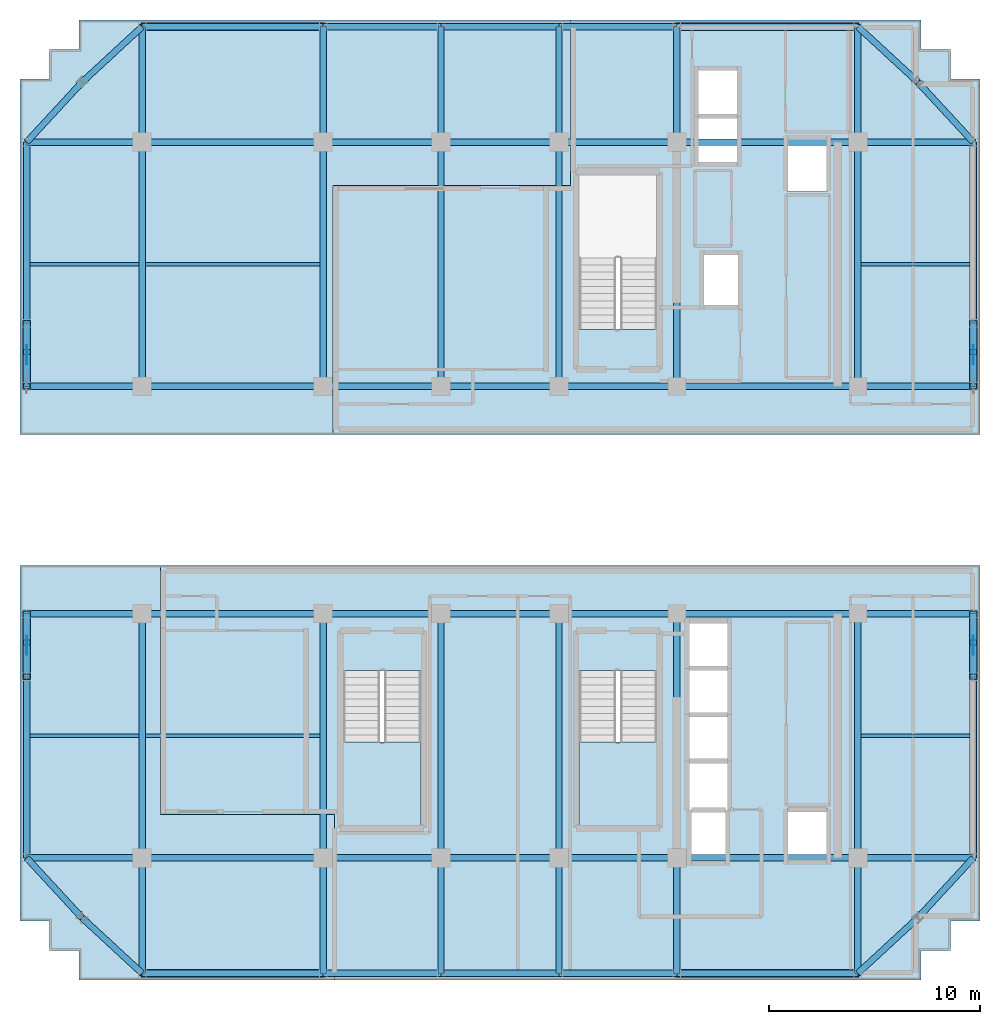
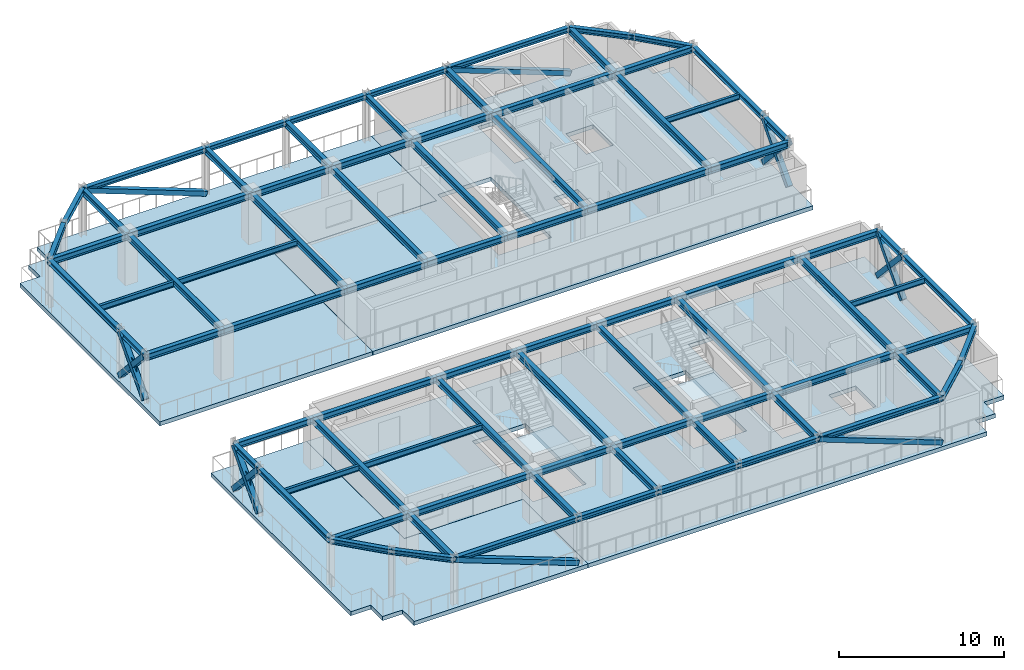
# One storey, part 4 of 14: 84 beams, 16 members, 6 slabs, 4 plates, 2 elements without a shape of their own.
"""IFC4 building model written with IfcOpenShell, lengths in metres."""

import ifcopenshell
import ifcopenshell.guid

model = None  # the IFC model being written
_history = None  # IfcOwnerHistory: only IFC2X3 demands one
_inside = {}  # id of a spatial element -> (the spatial element, [elements in it])
_under = {}  # id of a project, library or spatial element -> (it, [spatial elements below it])
_declared = {}  # id of a project -> (the project, [libraries it declares])
_typed = {}  # id of a type object -> (the type object, [elements of that type])
_made_of = {}  # id of a material, layer set ... -> (it, [elements and type objects made of it])


def new_model(schema):
    """Start an empty IFC model of exactly this schema.

    Asked for "IFC4X3", IfcOpenShell would pick the latest addendum, in which some entities
    have other attributes; the version numbers below select the first issue.
    IFC2X3 requires an IfcOwnerHistory on every rooted entity: one is made here for all.
    """
    global model, _history
    if schema == "IFC4X3":
        model = ifcopenshell.file(schema_version=(4, 3, 0, 0))
    else:
        model = ifcopenshell.file(schema=schema)
    _inside.clear()
    _under.clear()
    _declared.clear()
    _typed.clear()
    _made_of.clear()
    _history = None
    if model.schema == "IFC2X3":
        org = make("IfcOrganization", Name="unknown")
        user = make(
            "IfcPersonAndOrganization",
            ThePerson=make("IfcPerson", FamilyName="unknown"),
            TheOrganization=org,
        )
        app = make(
            "IfcApplication",
            ApplicationDeveloper=org,
            Version="unknown",
            ApplicationFullName="unknown",
            ApplicationIdentifier="unknown",
        )
        _history = make(
            "IfcOwnerHistory",
            OwningUser=user,
            OwningApplication=app,
            ChangeAction="ADDED",
            CreationDate=0,
        )
    return model


def make(cls, **values):
    """One entity of the class cls with the attributes given. An attribute that is None is left unset."""
    return model.create_entity(
        cls, **{name: value for name, value in values.items() if value is not None}
    )


def rooted(cls, **values):
    """An entity with a GlobalId (a new one), such as an element, a storey or a relation."""
    return make(cls, GlobalId=ifcopenshell.guid.new(), OwnerHistory=_history, **values)


def si_unit(unit_type, name, prefix=None):
    """IfcSIUnit, for example si_unit("LENGTHUNIT", "METRE", prefix="MILLI")."""
    return make("IfcSIUnit", UnitType=unit_type, Prefix=prefix, Name=name)


def assignment(units):
    """IfcUnitAssignment: the units of a project."""
    return None if units is None else make("IfcUnitAssignment", Units=units)


def point(xyz):
    """IfcCartesianPoint."""
    return None if xyz is None else make("IfcCartesianPoint", Coordinates=xyz)


def direction(xyz):
    """IfcDirection."""
    return None if xyz is None else make("IfcDirection", DirectionRatios=xyz)


def frame(location, z_axis=None, x_axis=None):
    """IfcAxis2Placement3D, a coordinate frame: its origin and axes. An axis left out is left unset."""
    return make(
        "IfcAxis2Placement3D",
        Location=point(location),
        Axis=direction(z_axis),
        RefDirection=direction(x_axis),
    )


def frame_2d(location, x_axis=None):
    """IfcAxis2Placement2D, a coordinate frame in the plane: its origin and x axis."""
    return make(
        "IfcAxis2Placement2D", Location=point(location), RefDirection=direction(x_axis)
    )


def origin():
    """The frame at (0, 0, 0) with its axes left unset."""
    return frame((0.0, 0.0, 0.0))


def origin_2d():
    """The frame at (0, 0) in the plane with its x axis left unset."""
    return frame_2d((0.0, 0.0))


def place(relative_to, where):
    """IfcLocalPlacement: puts the frame where relative to a parent placement (None: the world)."""
    return make(
        "IfcLocalPlacement", PlacementRelTo=relative_to, RelativePlacement=where
    )


def context(
    kind, dimensions, precision=None, world=None, true_north=None, identifier=None
):
    """IfcGeometricRepresentationContext, for example the 3D "Model" context."""
    return make(
        "IfcGeometricRepresentationContext",
        ContextIdentifier=identifier,
        ContextType=kind,
        CoordinateSpaceDimension=dimensions,
        Precision=precision,
        WorldCoordinateSystem=world,
        TrueNorth=true_north,
    )


def subcontext(parent, identifier, kind, view, scale=None):
    """IfcGeometricRepresentationSubContext, for example "Body" below "Model"."""
    return make(
        "IfcGeometricRepresentationSubContext",
        ContextIdentifier=identifier,
        ContextType=kind,
        ParentContext=parent,
        TargetScale=scale,
        TargetView=view,
    )


def project(units=None, contexts=None):
    """IfcProject with its units and contexts."""
    return rooted(
        "IfcProject",
        Name="project",
        RepresentationContexts=contexts,
        UnitsInContext=assignment(units),
    )


def spatial(cls, under=None, at=None, **own):
    """A site, building, storey or space (cls), placed at a placement, below another one or the project."""
    s = rooted(cls, ObjectPlacement=at, **own)
    if under is not None:
        _under.setdefault(under.id(), (under, []))[1].append(s)
    return s


def polyline(points):
    """IfcPolyline through the points."""
    return make("IfcPolyline", Points=[point(p) for p in points])


def profile(cls, at=None, kind="AREA", **sizes):
    """A parametric profile (cls). Its sizes go by their IFC names, for example OverallWidth=200.0."""
    return make(cls, ProfileType=kind, Position=at, **sizes)


def rectangle(**sizes):
    """IfcRectangleProfileDef."""
    return profile("IfcRectangleProfileDef", **sizes)


def hollow_rectangle(**sizes):
    """IfcRectangleHollowProfileDef."""
    return profile("IfcRectangleHollowProfileDef", **sizes)


def i_section(**sizes):
    """IfcIShapeProfileDef."""
    return profile("IfcIShapeProfileDef", **sizes)


def outline(outer, holes=None, kind="AREA"):
    """IfcArbitraryClosedProfileDef: a profile drawn as a closed curve; with holes, ...WithVoids."""
    if holes is None:
        return make("IfcArbitraryClosedProfileDef", ProfileType=kind, OuterCurve=outer)
    return make(
        "IfcArbitraryProfileDefWithVoids",
        ProfileType=kind,
        OuterCurve=outer,
        InnerCurves=holes,
    )


def extrude(swept, where, along, depth):
    """IfcExtrudedAreaSolid: the profile swept, set in the frame where, extruded along a direction by depth."""
    return make(
        "IfcExtrudedAreaSolid",
        SweptArea=swept,
        Position=where,
        ExtrudedDirection=direction(along),
        Depth=depth,
    )


def shape(context_of_items, identifier, shape_type, items):
    """IfcShapeRepresentation: the items that make up one representation, for example the "Body"."""
    return make(
        "IfcShapeRepresentation",
        ContextOfItems=context_of_items,
        RepresentationIdentifier=identifier,
        RepresentationType=shape_type,
        Items=items,
    )


def source(mapping_origin, context_of_items, identifier, shape_type, items):
    """IfcRepresentationMap: a shape defined once, which mapped items show again and again."""
    return make(
        "IfcRepresentationMap",
        MappingOrigin=mapping_origin,
        MappedRepresentation=shape(context_of_items, identifier, shape_type, items),
    )


def transform(
    local_origin,
    x_axis=None,
    y_axis=None,
    z_axis=None,
    scale=None,
    scale2=None,
    scale3=None,
    uniform=True,
):
    """IfcCartesianTransformationOperator3D, or its non-uniform kind. x_axis, y_axis, z_axis: its Axis1, 2, 3."""
    if uniform:
        return make(
            "IfcCartesianTransformationOperator3D",
            Axis1=direction(x_axis),
            Axis2=direction(y_axis),
            LocalOrigin=point(local_origin),
            Scale=scale,
            Axis3=direction(z_axis),
        )
    return make(
        "IfcCartesianTransformationOperator3DnonUniform",
        Axis1=direction(x_axis),
        Axis2=direction(y_axis),
        LocalOrigin=point(local_origin),
        Scale=scale,
        Axis3=direction(z_axis),
        Scale2=scale2,
        Scale3=scale3,
    )


def mapped(mapping_source, mapping_target):
    """IfcMappedItem: shows the shape of a source again, moved by a transform."""
    return make(
        "IfcMappedItem", MappingSource=mapping_source, MappingTarget=mapping_target
    )


def material(Name=None, Category=None):
    """IfcMaterial."""
    return make("IfcMaterial", Name=Name, Category=Category)


def layer(
    of_material, thickness, ventilated=None, Name=None, Category=None, Priority=None
):
    """IfcMaterialLayer: one layer of a wall or slab, of a material (None: an air gap)."""
    return make(
        "IfcMaterialLayer",
        Material=of_material,
        LayerThickness=thickness,
        IsVentilated=ventilated,
        Name=Name,
        Category=Category,
        Priority=Priority,
    )


def layer_set(layers, Name=None):
    """IfcMaterialLayerSet."""
    return make("IfcMaterialLayerSet", MaterialLayers=layers, LayerSetName=Name)


def material_profile(
    of_material, cross_section, Name=None, Category=None, Priority=None
):
    """IfcMaterialProfile: a cross section and its material."""
    return make(
        "IfcMaterialProfile",
        Name=Name,
        Material=of_material,
        Profile=cross_section,
        Priority=Priority,
        Category=Category,
    )


def profile_set(profiles, Name=None, composite=None):
    """IfcMaterialProfileSet."""
    return make(
        "IfcMaterialProfileSet",
        Name=Name,
        MaterialProfiles=profiles,
        CompositeProfile=composite,
    )


def made_of(thing, what):
    """Note that an element or type object is made of a material, layer set ...; save() writes the relation."""
    if what is not None:
        _made_of.setdefault(what.id(), (what, []))[1].append(thing)
    return thing


def type_object(cls, material=None, **own):
    """A type object (cls), such as IfcWallType, which elements share."""
    return made_of(rooted(cls, **own), material)


def element(
    cls,
    number,
    at=None,
    inside=None,
    cuts=None,
    type_object=None,
    material=None,
    context=None,
    identifier="Body",
    shape_type=None,
    held_by="IfcProductDefinitionShape",
    body=None,
    shapes=None,
    **own,
):
    """One element of the class cls, such as IfcWall. Its Tag is "e" and its number.

    at: its placement. inside: the storey or other place that contains it. cuts: it is an
    opening in that element (IfcRelVoidsElement). A single representation is given by context,
    identifier, shape_type and body (its items); several are given by shapes. held_by: the class
    of the entity that holds the representations. save() writes the other relations.
    """
    e = rooted(cls, Tag="e%d" % number, ObjectPlacement=at, **own)
    if body is not None:
        shapes = [shape(context, identifier, shape_type, body)]
    if shapes is not None:
        e.Representation = make(held_by, Representations=shapes)
    if inside is not None:
        _inside.setdefault(inside.id(), (inside, []))[1].append(e)
    if cuts is not None:
        rooted(
            "IfcRelVoidsElement", RelatingBuildingElement=cuts, RelatedOpeningElement=e
        )
    if type_object is not None:
        _typed.setdefault(type_object.id(), (type_object, []))[1].append(e)
    return made_of(e, material)


def aggregate(whole, parts):
    """IfcRelAggregates: a whole, such as a stair, and the parts it consists of."""
    return rooted("IfcRelAggregates", RelatingObject=whole, RelatedObjects=parts)


def save(model, path):
    """Write the relations noted so far, then the file.

    IfcRelAggregates (storeys below a building ...), IfcRelContainedInSpatialStructure (elements
    in a storey), IfcRelDefinesByType, IfcRelAssociatesMaterial and IfcRelDeclares: one each for
    every whole, place, type object, material and project.
    """
    for whole, parts in _under.values():
        aggregate(whole, parts)
    for where, things in _inside.values():
        rooted(
            "IfcRelContainedInSpatialStructure",
            RelatedElements=things,
            RelatingStructure=where,
        )
    for kind, things in _typed.values():
        rooted("IfcRelDefinesByType", RelatedObjects=things, RelatingType=kind)
    for what, things in _made_of.values():
        rooted("IfcRelAssociatesMaterial", RelatedObjects=things, RelatingMaterial=what)
    for by, libraries in _declared.values():
        rooted("IfcRelDeclares", RelatingContext=by, RelatedDefinitions=libraries)
    model.write(path)


model = new_model("IFC4")

# Units and contexts
model_context = context("Model", 3, precision=1e-05, world=origin(), true_north=direction((0.0, 1.0)))
body_context = subcontext(model_context, "Body", "Model", "MODEL_VIEW")
ifc_project = project(units=[si_unit("LENGTHUNIT", "METRE"), si_unit("AREAUNIT", "SQUARE_METRE"), si_unit("VOLUMEUNIT", "CUBIC_METRE"), si_unit("PLANEANGLEUNIT", "RADIAN"), si_unit("MASSUNIT", "GRAM", prefix="KILO")], contexts=[model_context])

# Site, building, storey
site_placement = place(None, origin())
site = spatial("IfcSite", under=ifc_project, at=site_placement, CompositionType="ELEMENT")
building_placement = place(site_placement, origin())
building = spatial("IfcBuilding", under=site, at=building_placement, Name="Nahalor Promenade Grand Hotel", CompositionType="ELEMENT")
storey_placement = place(building_placement, frame((0.0, 0.0, 296.5)))
storey = spatial("IfcBuildingStorey", under=building, at=storey_placement, Name="L76", CompositionType="ELEMENT", Elevation=296.5)

# Beams
ifc_material_1 = material(Name="Steel S355JR", Category="steel")
ifc_material_profile_1 = material_profile(ifc_material_1, i_section(OverallWidth=0.3, OverallDepth=0.45, WebThickness=0.014, FlangeThickness=0.026, at=origin_2d()), Name="HEB 450")
ifc_profile_set_1 = profile_set([ifc_material_profile_1], Name="Steel S355JR")
beam_type_1 = type_object("IfcBeamType", Name="Beam-Girder-HEB450", PredefinedType="BEAM", material=ifc_profile_set_1)
shared_shape_1 = source(origin(), body_context, "Body", "SweptSolid", [
    extrude(i_section(OverallWidth=0.3, OverallDepth=0.45, WebThickness=0.014, FlangeThickness=0.026, at=origin_2d()), origin(), (0.0, 0.0, 1.0), 8.60009765625),
])
for number, where, z_axis, x_axis, name in (
    (1, (-17.0, -17.0, 3.324951171875), (1.0, 0.0, 0.0), (0.0, 1.0, 0.0), "BM-L76-GX-0-1"),
    (2, (8.39990234375, -17.0, 3.324951171875), (1.0, 0.0, 0.0), (0.0, 1.0, 0.0), "BM-L76-GX-0-5"),
    (3, (-17.0, -5.39990234375, 3.324951171875), (1.0, 0.0, 0.0), (0.0, 1.0, 0.0), "BM-L76-GX-1-1"),
    (4, (8.39990234375, -5.39990234375, 3.324951171875), (1.0, 0.0, 0.0), (0.0, 1.0, 0.0), "BM-L76-GX-1-5"),
    (5, (-17.0, 5.39990234375, 3.324951171875), (1.0, 0.0, 0.0), (0.0, 1.0, 0.0), "BM-L76-GX-2-1"),
    (6, (8.39990234375, 5.39990234375, 3.324951171875), (1.0, 0.0, 0.0), (0.0, 1.0, 0.0), "BM-L76-GX-2-5"),
    (7, (-17.0, 17.0, 3.324951171875), (1.0, 0.0, 0.0), (0.0, 1.0, 0.0), "BM-L76-GX-3-1"),
    (8, (8.39990234375, 17.0, 3.324951171875), (1.0, 0.0, 0.0), (0.0, 1.0, 0.0), "BM-L76-GX-3-5"),
):
    element("IfcBeam", number, at=place(storey_placement, frame(where, z_axis=z_axis, x_axis=x_axis)), inside=storey, type_object=beam_type_1, Name=name, PredefinedType="BEAM", context=body_context, shape_type="MappedRepresentation", body=[
        mapped(shared_shape_1, transform((0.0, 0.0, 0.0), scale=1.0)),
    ])
shared_shape_2 = source(origin(), body_context, "Body", "SweptSolid", [
    extrude(i_section(OverallWidth=0.3, OverallDepth=0.45, WebThickness=0.014, FlangeThickness=0.026, at=origin_2d()), origin(), (0.0, 0.0, 1.0), 5.599853515625),
])
for number, where, z_axis, x_axis, name in (
    (9, (-8.39990234375, -17.0, 3.324951171875), (1.0, 0.0, 0.0), (0.0, 1.0, 0.0), "BM-L76-GX-0-2"),
    (10, (2.800048828125, -17.0, 3.324951171875), (1.0, 0.0, 0.0), (0.0, 1.0, 0.0), "BM-L76-GX-0-4"),
    (11, (-8.39990234375, -5.39990234375, 3.324951171875), (1.0, 0.0, 0.0), (0.0, 1.0, 0.0), "BM-L76-GX-1-2"),
    (12, (2.800048828125, -5.39990234375, 3.324951171875), (1.0, 0.0, 0.0), (0.0, 1.0, 0.0), "BM-L76-GX-1-4"),
    (13, (-8.39990234375, 5.39990234375, 3.324951171875), (1.0, 0.0, 0.0), (0.0, 1.0, 0.0), "BM-L76-GX-2-2"),
    (14, (2.800048828125, 5.39990234375, 3.324951171875), (1.0, 0.0, 0.0), (0.0, 1.0, 0.0), "BM-L76-GX-2-4"),
    (15, (-8.39990234375, 17.0, 3.324951171875), (1.0, 0.0, 0.0), (0.0, 1.0, 0.0), "BM-L76-GX-3-2"),
    (16, (2.800048828125, 17.0, 3.324951171875), (1.0, 0.0, 0.0), (0.0, 1.0, 0.0), "BM-L76-GX-3-4"),
):
    element("IfcBeam", number, at=place(storey_placement, frame(where, z_axis=z_axis, x_axis=x_axis)), inside=storey, type_object=beam_type_1, Name=name, PredefinedType="BEAM", context=body_context, shape_type="MappedRepresentation", body=[
        mapped(shared_shape_2, transform((0.0, 0.0, 0.0), scale=1.0)),
    ])
shared_shape_3 = source(origin(), body_context, "Body", "SweptSolid", [
    extrude(i_section(OverallWidth=0.3, OverallDepth=0.45, WebThickness=0.014, FlangeThickness=0.026, at=origin_2d()), origin(), (0.0, 0.0, 1.0), 5.60009765625),
])
for number, where, z_axis, x_axis, name in (
    (17, (-2.800048828125, -17.0, 3.324951171875), (1.0, 0.0, 0.0), (0.0, 1.0, 0.0), "BM-L76-GX-0-3"),
    (18, (-2.800048828125, -5.39990234375, 3.324951171875), (1.0, 0.0, 0.0), (0.0, 1.0, 0.0), "BM-L76-GX-1-3"),
    (19, (-2.800048828125, 5.39990234375, 3.324951171875), (1.0, 0.0, 0.0), (0.0, 1.0, 0.0), "BM-L76-GX-2-3"),
    (20, (-2.800048828125, 17.0, 3.324951171875), (1.0, 0.0, 0.0), (0.0, 1.0, 0.0), "BM-L76-GX-3-3"),
):
    element("IfcBeam", number, at=place(storey_placement, frame(where, z_axis=z_axis, x_axis=x_axis)), inside=storey, type_object=beam_type_1, Name=name, PredefinedType="BEAM", context=body_context, shape_type="MappedRepresentation", body=[
        mapped(shared_shape_3, transform((0.0, 0.0, 0.0), scale=1.0)),
    ])
shared_shape_4 = source(origin(), body_context, "Body", "SweptSolid", [
    extrude(i_section(OverallWidth=0.3, OverallDepth=0.45, WebThickness=0.014, FlangeThickness=0.026, at=origin_2d()), origin(), (0.0, 0.0, 1.0), 11.60009765625),
])
for number, where, z_axis, x_axis, name in (
    (21, (-17.0, -17.0, 3.324951171875), (0.0, 1.0, 0.0), (-1.0, 0.0, 0.0), "BM-L76-GY-0-1"),
    (22, (-17.0, 5.39990234375, 3.324951171875), (0.0, 1.0, 0.0), (-1.0, 0.0, 0.0), "BM-L76-GY-0-3"),
    (23, (-8.39990234375, -17.0, 3.324951171875), (0.0, 1.0, 0.0), (-1.0, 0.0, 0.0), "BM-L76-GY-1-1"),
    (24, (-8.39990234375, 5.39990234375, 3.324951171875), (0.0, 1.0, 0.0), (-1.0, 0.0, 0.0), "BM-L76-GY-1-3"),
    (25, (-2.800048828125, -17.0, 3.324951171875), (0.0, 1.0, 0.0), (-1.0, 0.0, 0.0), "BM-L76-GY-2-1"),
    (26, (-2.800048828125, 5.39990234375, 3.324951171875), (0.0, 1.0, 0.0), (-1.0, 0.0, 0.0), "BM-L76-GY-2-3"),
    (27, (2.800048828125, -17.0, 3.324951171875), (0.0, 1.0, 0.0), (-1.0, 0.0, 0.0), "BM-L76-GY-3-1"),
    (28, (2.800048828125, 5.39990234375, 3.324951171875), (0.0, 1.0, 0.0), (-1.0, 0.0, 0.0), "BM-L76-GY-3-3"),
    (29, (8.39990234375, -17.0, 3.324951171875), (0.0, 1.0, 0.0), (-1.0, 0.0, 0.0), "BM-L76-GY-4-1"),
    (30, (8.39990234375, 5.39990234375, 3.324951171875), (0.0, 1.0, 0.0), (-1.0, 0.0, 0.0), "BM-L76-GY-4-3"),
    (31, (17.0, -17.0, 3.324951171875), (0.0, 1.0, 0.0), (-1.0, 0.0, 0.0), "BM-L76-GY-5-1"),
    (32, (17.0, 5.39990234375, 3.324951171875), (0.0, 1.0, 0.0), (-1.0, 0.0, 0.0), "BM-L76-GY-5-3"),
):
    element("IfcBeam", number, at=place(storey_placement, frame(where, z_axis=z_axis, x_axis=x_axis)), inside=storey, type_object=beam_type_1, Name=name, PredefinedType="BEAM", context=body_context, shape_type="MappedRepresentation", body=[
        mapped(shared_shape_4, transform((0.0, 0.0, 0.0), scale=1.0)),
    ])
ifc_material_profile_2 = material_profile(ifc_material_1, i_section(OverallWidth=0.18, OverallDepth=0.4, WebThickness=0.0086, FlangeThickness=0.0135, at=origin_2d()), Name="IPE 400")
ifc_profile_set_2 = profile_set([ifc_material_profile_2], Name="Steel S355JR")
beam_type_2 = type_object("IfcBeamType", Name="Beam-Joist-IPE400", PredefinedType="JOIST", material=ifc_profile_set_2)
shared_shape_5 = source(origin(), body_context, "Body", "SweptSolid", [
    extrude(i_section(OverallWidth=0.18, OverallDepth=0.4, WebThickness=0.0086, FlangeThickness=0.0135, at=origin_2d()), origin(), (0.0, 0.0, 1.0), 8.300048828125),
])
for number, where, z_axis, x_axis, name in (
    (33, (-16.85009765625, -11.199951171875, 3.35009765625), (1.0, 0.0, 0.0), (0.0, 1.0, 0.0), "BM-L76-JSW-0-1"),
    (34, (-16.85009765625, 11.199951171875, 3.35009765625), (1.0, 0.0, 0.0), (0.0, 1.0, 0.0), "BM-L76-JSW-1-1"),
):
    element("IfcBeam", number, at=place(storey_placement, frame(where, z_axis=z_axis, x_axis=x_axis)), inside=storey, type_object=beam_type_2, Name=name, PredefinedType="JOIST", context=body_context, shape_type="MappedRepresentation", body=[
        mapped(shared_shape_5, transform((0.0, 0.0, 0.0), scale=1.0)),
    ])
shared_shape_6 = source(origin(), body_context, "Body", "SweptSolid", [
    extrude(i_section(OverallWidth=0.3, OverallDepth=0.45, WebThickness=0.014, FlangeThickness=0.026, at=origin_2d()), origin(), (0.0, 0.0, 1.0), 5.47998046875),
])
for number, where, z_axis, x_axis, name in (
    (35, (-22.47998046875, -17.0, 3.324951171875), (1.0, 0.0, 0.0), (0.0, 1.0, 0.0), "BM-L76-GX-0-0"),
    (36, (17.0, -17.0, 3.324951171875), (1.0, 0.0, 0.0), (0.0, 1.0, 0.0), "BM-L76-GX-0-6"),
    (37, (-22.47998046875, -5.39990234375, 3.324951171875), (1.0, 0.0, 0.0), (0.0, 1.0, 0.0), "BM-L76-GX-1-0"),
    (38, (17.0, -5.39990234375, 3.324951171875), (1.0, 0.0, 0.0), (0.0, 1.0, 0.0), "BM-L76-GX-1-6"),
    (39, (-22.47998046875, 5.39990234375, 3.324951171875), (1.0, 0.0, 0.0), (0.0, 1.0, 0.0), "BM-L76-GX-2-0"),
    (40, (17.0, 5.39990234375, 3.324951171875), (1.0, 0.0, 0.0), (0.0, 1.0, 0.0), "BM-L76-GX-2-6"),
    (41, (-22.47998046875, 17.0, 3.324951171875), (1.0, 0.0, 0.0), (0.0, 1.0, 0.0), "BM-L76-GX-3-0"),
    (42, (17.0, 17.0, 3.324951171875), (1.0, 0.0, 0.0), (0.0, 1.0, 0.0), "BM-L76-GX-3-6"),
    (43, (-17.0, -22.47998046875, 3.324951171875), (0.0, 1.0, 0.0), (-1.0, 0.0, 0.0), "BM-L76-GY-0-0"),
    (44, (-17.0, 17.0, 3.324951171875), (0.0, 1.0, 0.0), (-1.0, 0.0, 0.0), "BM-L76-GY-0-4"),
    (45, (-8.39990234375, -22.47998046875, 3.324951171875), (0.0, 1.0, 0.0), (-1.0, 0.0, 0.0), "BM-L76-GY-1-0"),
    (46, (-8.39990234375, 17.0, 3.324951171875), (0.0, 1.0, 0.0), (-1.0, 0.0, 0.0), "BM-L76-GY-1-4"),
    (47, (-2.800048828125, -22.47998046875, 3.324951171875), (0.0, 1.0, 0.0), (-1.0, 0.0, 0.0), "BM-L76-GY-2-0"),
    (48, (-2.800048828125, 17.0, 3.324951171875), (0.0, 1.0, 0.0), (-1.0, 0.0, 0.0), "BM-L76-GY-2-4"),
    (49, (2.800048828125, -22.47998046875, 3.324951171875), (0.0, 1.0, 0.0), (-1.0, 0.0, 0.0), "BM-L76-GY-3-0"),
    (50, (2.800048828125, 17.0, 3.324951171875), (0.0, 1.0, 0.0), (-1.0, 0.0, 0.0), "BM-L76-GY-3-4"),
    (51, (8.39990234375, -22.47998046875, 3.324951171875), (0.0, 1.0, 0.0), (-1.0, 0.0, 0.0), "BM-L76-GY-4-0"),
    (52, (8.39990234375, 17.0, 3.324951171875), (0.0, 1.0, 0.0), (-1.0, 0.0, 0.0), "BM-L76-GY-4-4"),
    (53, (17.0, -22.47998046875, 3.324951171875), (0.0, 1.0, 0.0), (-1.0, 0.0, 0.0), "BM-L76-GY-5-0"),
    (54, (17.0, 17.0, 3.324951171875), (0.0, 1.0, 0.0), (-1.0, 0.0, 0.0), "BM-L76-GY-5-4"),
):
    element("IfcBeam", number, at=place(storey_placement, frame(where, z_axis=z_axis, x_axis=x_axis)), inside=storey, type_object=beam_type_1, Name=name, PredefinedType="BEAM", context=body_context, shape_type="MappedRepresentation", body=[
        mapped(shared_shape_6, transform((0.0, 0.0, 0.0), scale=1.0)),
    ])
shared_shape_7 = source(origin(), body_context, "Body", "SweptSolid", [
    extrude(i_section(OverallWidth=0.18, OverallDepth=0.4, WebThickness=0.0086, FlangeThickness=0.0135, at=origin_2d()), origin(), (0.0, 0.0, 1.0), 5.18017578125),
])
for number, where, z_axis, x_axis, name in (
    (55, (-22.330078125, -11.199951171875, 3.35009765625), (1.0, 0.0, 0.0), (0.0, 1.0, 0.0), "BM-L76-JSW-0-0"),
    (56, (17.14990234375, -11.199951171875, 3.35009765625), (1.0, 0.0, 0.0), (0.0, 1.0, 0.0), "BM-L76-JSE-0-2"),
    (57, (-22.330078125, 11.199951171875, 3.35009765625), (1.0, 0.0, 0.0), (0.0, 1.0, 0.0), "BM-L76-JSW-1-0"),
    (58, (17.14990234375, 11.199951171875, 3.35009765625), (1.0, 0.0, 0.0), (0.0, 1.0, 0.0), "BM-L76-JSE-1-2"),
):
    element("IfcBeam", number, at=place(storey_placement, frame(where, z_axis=z_axis, x_axis=x_axis)), inside=storey, type_object=beam_type_2, Name=name, PredefinedType="JOIST", context=body_context, shape_type="MappedRepresentation", body=[
        mapped(shared_shape_7, transform((0.0, 0.0, 0.0), scale=1.0)),
    ])
ifc_material_profile_3 = material_profile(ifc_material_1, i_section(OverallWidth=0.3, OverallDepth=0.36, WebThickness=0.0125, FlangeThickness=0.0225, at=origin_2d()), Name="HEB 360")
ifc_profile_set_3 = profile_set([ifc_material_profile_3], Name="Steel S355JR")
beam_type_3 = type_object("IfcBeamType", Name="Beam-Spandrel-HEB360", PredefinedType="SPANDREL", material=ifc_profile_set_3)
shared_shape_8 = source(origin(), body_context, "Body", "SweptSolid", [
    extrude(i_section(OverallWidth=0.3, OverallDepth=0.36, WebThickness=0.0125, FlangeThickness=0.0225, at=origin_2d()), origin(), (0.0, 0.0, 1.0), 8.60009765625),
])
for number, where, z_axis, x_axis, name in (
    (59, (-17.0, -22.47998046875, 3.3701171875), (1.0, 0.0, 0.0), (0.0, 1.0, 0.0), "BM-L76-SP-S-0"),
    (60, (8.39990234375, -22.47998046875, 3.3701171875), (1.0, 0.0, 0.0), (0.0, 1.0, 0.0), "BM-L76-SP-S-4"),
    (61, (-17.0, 22.47998046875, 3.3701171875), (1.0, 0.0, 0.0), (0.0, 1.0, 0.0), "BM-L76-SP-N-0"),
    (62, (8.39990234375, 22.47998046875, 3.3701171875), (1.0, 0.0, 0.0), (0.0, 1.0, 0.0), "BM-L76-SP-N-4"),
    (63, (-22.47998046875, -17.0, 3.3701171875), (0.0, 1.0, 0.0), (-1.0, 0.0, 0.0), "BM-L76-SP-W-0"),
    (64, (-22.47998046875, 8.39990234375, 3.3701171875), (0.0, 1.0, 0.0), (-1.0, 0.0, 0.0), "BM-L76-SP-W-4"),
    (65, (22.47998046875, -17.0, 3.3701171875), (0.0, 1.0, 0.0), (-1.0, 0.0, 0.0), "BM-L76-SP-E-0"),
    (66, (22.47998046875, 8.39990234375, 3.3701171875), (0.0, 1.0, 0.0), (-1.0, 0.0, 0.0), "BM-L76-SP-E-4"),
):
    element("IfcBeam", number, at=place(storey_placement, frame(where, z_axis=z_axis, x_axis=x_axis)), inside=storey, type_object=beam_type_3, Name=name, PredefinedType="SPANDREL", context=body_context, shape_type="MappedRepresentation", body=[
        mapped(shared_shape_8, transform((0.0, 0.0, 0.0), scale=1.0)),
    ])
shared_shape_9 = source(origin(), body_context, "Body", "SweptSolid", [
    extrude(i_section(OverallWidth=0.3, OverallDepth=0.36, WebThickness=0.0125, FlangeThickness=0.0225, at=origin_2d()), origin(), (0.0, 0.0, 1.0), 5.599853515625),
])
for number, where, z_axis, x_axis, name in (
    (67, (-8.39990234375, -22.47998046875, 3.3701171875), (1.0, 0.0, 0.0), (0.0, 1.0, 0.0), "BM-L76-SP-S-1"),
    (68, (2.800048828125, -22.47998046875, 3.3701171875), (1.0, 0.0, 0.0), (0.0, 1.0, 0.0), "BM-L76-SP-S-3"),
    (69, (-8.39990234375, 22.47998046875, 3.3701171875), (1.0, 0.0, 0.0), (0.0, 1.0, 0.0), "BM-L76-SP-N-1"),
    (70, (2.800048828125, 22.47998046875, 3.3701171875), (1.0, 0.0, 0.0), (0.0, 1.0, 0.0), "BM-L76-SP-N-3"),
):
    element("IfcBeam", number, at=place(storey_placement, frame(where, z_axis=z_axis, x_axis=x_axis)), inside=storey, type_object=beam_type_3, Name=name, PredefinedType="SPANDREL", context=body_context, shape_type="MappedRepresentation", body=[
        mapped(shared_shape_9, transform((0.0, 0.0, 0.0), scale=1.0)),
    ])
shared_shape_10 = source(origin(), body_context, "Body", "SweptSolid", [
    extrude(i_section(OverallWidth=0.3, OverallDepth=0.36, WebThickness=0.0125, FlangeThickness=0.0225, at=origin_2d()), origin(), (0.0, 0.0, 1.0), 5.60009765625),
])
for number, where, z_axis, x_axis, name in (
    (71, (-2.800048828125, -22.47998046875, 3.3701171875), (1.0, 0.0, 0.0), (0.0, 1.0, 0.0), "BM-L76-SP-S-2"),
    (72, (-2.800048828125, 22.47998046875, 3.3701171875), (1.0, 0.0, 0.0), (0.0, 1.0, 0.0), "BM-L76-SP-N-2"),
):
    element("IfcBeam", number, at=place(storey_placement, frame(where, z_axis=z_axis, x_axis=x_axis)), inside=storey, type_object=beam_type_3, Name=name, PredefinedType="SPANDREL", context=body_context, shape_type="MappedRepresentation", body=[
        mapped(shared_shape_10, transform((0.0, 0.0, 0.0), scale=1.0)),
    ])
shared_shape_11 = source(origin(), body_context, "Body", "SweptSolid", [
    extrude(i_section(OverallWidth=0.3, OverallDepth=0.36, WebThickness=0.0125, FlangeThickness=0.0225, at=origin_2d()), origin(), (0.0, 0.0, 1.0), 3.0),
])
for number, where, z_axis, x_axis, name in (
    (73, (-22.47998046875, -8.39990234375, 3.3701171875), (0.0, 1.0, 0.0), (-1.0, 0.0, 0.0), "BM-L76-SP-W-1"),
    (74, (-22.47998046875, 5.39990234375, 3.3701171875), (0.0, 1.0, 0.0), (-1.0, 0.0, 0.0), "BM-L76-SP-W-3"),
    (75, (22.47998046875, -8.39990234375, 3.3701171875), (0.0, 1.0, 0.0), (-1.0, 0.0, 0.0), "BM-L76-SP-E-1"),
    (76, (22.47998046875, 5.39990234375, 3.3701171875), (0.0, 1.0, 0.0), (-1.0, 0.0, 0.0), "BM-L76-SP-E-3"),
):
    element("IfcBeam", number, at=place(storey_placement, frame(where, z_axis=z_axis, x_axis=x_axis)), inside=storey, type_object=beam_type_3, Name=name, PredefinedType="SPANDREL", context=body_context, shape_type="MappedRepresentation", body=[
        mapped(shared_shape_11, transform((0.0, 0.0, 0.0), scale=1.0)),
    ])
shared_shape_12 = source(origin(), body_context, "Body", "SweptSolid", [
    extrude(i_section(OverallWidth=0.3, OverallDepth=0.36, WebThickness=0.0125, FlangeThickness=0.0225, at=origin_2d()), origin(), (0.0, 0.0, 1.0), 3.878173828125),
])
for number, where, z_axis, x_axis, name in (
    (77, (-17.0, -22.47998046875, 3.3701171875), (-0.73492893846, 0.678144125843, 0.0), (-0.678144125843, -0.73492893846, 0.0), "BM-L76-SPC-SW-1"),
    (78, (-19.85009765625, -19.85009765625, 3.3701171875), (-0.678144125843, 0.73492893846, 0.0), (-0.73492893846, -0.678144125843, 0.0), "BM-L76-SPC-SW-2"),
    (79, (-17.0, 22.47998046875, 3.3701171875), (-0.73492893846, -0.678144125843, 0.0), (0.678144125843, -0.73492893846, 0.0), "BM-L76-SPC-NW-1"),
    (80, (-19.85009765625, 19.85009765625, 3.3701171875), (-0.678144125843, -0.73492893846, 0.0), (0.73492893846, -0.678144125843, 0.0), "BM-L76-SPC-NW-2"),
    (81, (17.0, -22.47998046875, 3.3701171875), (0.73492893846, 0.678144125843, 0.0), (-0.678144125843, 0.73492893846, 0.0), "BM-L76-SPC-SE-1"),
    (82, (19.85009765625, -19.85009765625, 3.3701171875), (0.678144125843, 0.73492893846, 0.0), (-0.73492893846, 0.678144125843, 0.0), "BM-L76-SPC-SE-2"),
    (83, (17.0, 22.47998046875, 3.3701171875), (0.73492893846, -0.678144125843, 0.0), (0.678144125843, 0.73492893846, 0.0), "BM-L76-SPC-NE-1"),
    (84, (19.85009765625, 19.85009765625, 3.3701171875), (0.678144125843, -0.73492893846, 0.0), (0.73492893846, 0.678144125843, 0.0), "BM-L76-SPC-NE-2"),
):
    element("IfcBeam", number, at=place(storey_placement, frame(where, z_axis=z_axis, x_axis=x_axis)), inside=storey, type_object=beam_type_3, Name=name, PredefinedType="SPANDREL", context=body_context, shape_type="MappedRepresentation", body=[
        mapped(shared_shape_12, transform((0.0, 0.0, 0.0), scale=1.0)),
    ])

# Members
ifc_material_profile_4 = material_profile(ifc_material_1, hollow_rectangle(XDim=0.35, YDim=0.35, WallThickness=0.02, at=origin_2d()), Name="SHS 350x350x20")
ifc_profile_set_4 = profile_set([ifc_material_profile_4], Name="Steel S355JR")
member_type = type_object("IfcMemberType", Name="Mem-VoidBrace-SHS350", PredefinedType="BRACE", material=ifc_profile_set_4)
shared_shape_13 = source(origin(), body_context, "Body", "SweptSolid", [
    extrude(hollow_rectangle(XDim=0.35, YDim=0.35, WallThickness=0.02, at=origin_2d()), origin(), (0.0, 0.0, 1.0), 9.193603515625),
])
for number, where, z_axis, x_axis, name in (
    (85, (-8.39990234375, -22.47998046875, 0.14990234375), (-0.935433460247, 0.0, 0.353502816749), (0.0, -1.0, 0.0), "EXO-L76-S-0"),
    (86, (17.0, -22.47998046875, 0.14990234375), (-0.935433460247, 0.0, 0.353502816749), (0.0, -1.0, 0.0), "EXO-L76-S-1"),
    (87, (-8.39990234375, 22.47998046875, 0.14990234375), (-0.935433460247, 0.0, 0.353502816749), (0.0, -1.0, 0.0), "EXO-L76-N-0"),
    (88, (17.0, 22.47998046875, 0.14990234375), (-0.935433460247, 0.0, 0.353502816749), (0.0, -1.0, 0.0), "EXO-L76-N-1"),
):
    element("IfcMember", number, at=place(storey_placement, frame(where, z_axis=z_axis, x_axis=x_axis)), inside=storey, type_object=member_type, Name=name, PredefinedType="BRACE", context=body_context, shape_type="MappedRepresentation", body=[
        mapped(shared_shape_13, transform((0.0, 0.0, 0.0), scale=1.0)),
    ])
shared_shape_14 = source(origin(), body_context, "Body", "SweptSolid", [
    extrude(hollow_rectangle(XDim=0.35, YDim=0.35, WallThickness=0.02, at=origin_2d()), origin(), (0.0, 0.0, 1.0), 4.4228515625),
])
for number, where, z_axis, x_axis, name in (
    (89, (-22.47998046875, -8.39990234375, 0.14990234375), (0.0, 0.678280102733, 0.734803444627), (-1.0, 0.0, 0.0), "EXO-L76-VX1-W0"),
    (90, (-22.47998046875, 5.39990234375, 0.14990234375), (0.0, 0.678280102733, 0.734803444627), (-1.0, 0.0, 0.0), "EXO-L76-VX1-W1"),
    (91, (22.47998046875, -8.39990234375, 0.14990234375), (0.0, 0.678280102733, 0.734803444627), (-1.0, 0.0, 0.0), "EXO-L76-VX1-E0"),
    (92, (22.47998046875, 5.39990234375, 0.14990234375), (0.0, 0.678280102733, 0.734803444627), (-1.0, 0.0, 0.0), "EXO-L76-VX1-E1"),
):
    element("IfcMember", number, at=place(storey_placement, frame(where, z_axis=z_axis, x_axis=x_axis)), inside=storey, type_object=member_type, Name=name, PredefinedType="BRACE", context=body_context, shape_type="MappedRepresentation", body=[
        mapped(shared_shape_14, transform((0.0, 0.0, 0.0), scale=1.0)),
    ])
shared_shape_15 = source(origin(), body_context, "Body", "SweptSolid", [
    extrude(hollow_rectangle(XDim=0.35, YDim=0.35, WallThickness=0.02, at=origin_2d()), origin(), (0.0, 0.0, 1.0), 2.02392578125),
])
for number, where, z_axis, x_axis, name in (
    (93, (-22.47998046875, -5.39990234375, 0.14990234375), (0.0, -0.678255053132, 0.734826566545), (1.0, 0.0, 0.0), "EXO-L76-VX2-W0A"),
    (94, (-22.47998046875, -7.027099609375, 1.912841796875), (0.0, -0.678315173958, 0.734771069639), (1.0, 0.0, 0.0), "EXO-L76-VX2-W0B"),
    (95, (-22.47998046875, 8.39990234375, 0.14990234375), (0.0, -0.678255053132, 0.734826566545), (1.0, 0.0, 0.0), "EXO-L76-VX2-W1A"),
    (96, (-22.47998046875, 6.772705078125, 1.912841796875), (0.0, -0.678315173958, 0.734771069639), (1.0, 0.0, 0.0), "EXO-L76-VX2-W1B"),
    (97, (22.47998046875, -5.39990234375, 0.14990234375), (0.0, -0.678255053132, 0.734826566545), (1.0, 0.0, 0.0), "EXO-L76-VX2-E0A"),
    (98, (22.47998046875, -7.027099609375, 1.912841796875), (0.0, -0.678315173958, 0.734771069639), (1.0, 0.0, 0.0), "EXO-L76-VX2-E0B"),
    (99, (22.47998046875, 8.39990234375, 0.14990234375), (0.0, -0.678255053132, 0.734826566545), (1.0, 0.0, 0.0), "EXO-L76-VX2-E1A"),
    (100, (22.47998046875, 6.772705078125, 1.912841796875), (0.0, -0.678315173958, 0.734771069639), (1.0, 0.0, 0.0), "EXO-L76-VX2-E1B"),
):
    element("IfcMember", number, at=place(storey_placement, frame(where, z_axis=z_axis, x_axis=x_axis)), inside=storey, type_object=member_type, Name=name, PredefinedType="BRACE", context=body_context, shape_type="MappedRepresentation", body=[
        mapped(shared_shape_15, transform((0.0, 0.0, 0.0), scale=1.0)),
    ])

# Stair, slab
ifc_material_2 = material(Name="Concrete B-50 (C40/50)", Category="concrete")
stair_type_1 = type_object("IfcStairType", Name="Stair-ST2", PredefinedType="HALF_TURN_STAIR", material=ifc_material_2)
stair_1_placement = place(storey_placement, origin())
stair_1 = element("IfcStair", 101, at=stair_1_placement, inside=storey, type_object=stair_type_1, Name="L76 ST2", PredefinedType="HALF_TURN_STAIR")
ifc_layer_1 = layer(ifc_material_2, 0.2099609375)
ifc_layer_set_1 = layer_set([ifc_layer_1], Name="Concrete B-50 (C40/50)")
slab_type_1 = type_object("IfcSlabType", Name="Landing-ST2", PredefinedType="LANDING", material=ifc_layer_set_1)
slab_1_placement = place(storey_placement, frame((0.0, 0.0, 1.715087890625)))
slab_1 = element("IfcSlab", 102, at=slab_1_placement, type_object=slab_type_1, Name="ST2 landing 1", PredefinedType="LANDING", context=body_context, shape_type="SweptSolid", body=[
    extrude(outline(polyline([(3.75, -11.5), (3.75, -15.449951171875), (7.449951171875, -15.449951171875), (7.449951171875, -11.5), (3.75, -11.5)])), origin(), (0.0, 0.0, 1.0), 0.2099609375),
])
aggregate(stair_1, [slab_1])

stair_type_2 = type_object("IfcStairType", Name="Stair-ST3", PredefinedType="HALF_TURN_STAIR", material=ifc_material_2)
stair_2_placement = place(storey_placement, origin())
stair_2 = element("IfcStair", 103, at=stair_2_placement, inside=storey, type_object=stair_type_2, Name="L76 ST3", PredefinedType="HALF_TURN_STAIR")
ifc_layer_2 = layer(ifc_material_2, 0.219970703125)
ifc_layer_set_2 = layer_set([ifc_layer_2], Name="Concrete B-50 (C40/50)")
slab_type_2 = type_object("IfcSlabType", Name="Landing-ST3", PredefinedType="LANDING", material=ifc_layer_set_2)
slab_2_placement = place(storey_placement, frame((0.0, 0.0, 1.705078125)))
slab_2 = element("IfcSlab", 104, at=slab_2_placement, type_object=slab_type_2, Name="ST3 landing 1", PredefinedType="LANDING", context=body_context, shape_type="SweptSolid", body=[
    extrude(outline(polyline([(-7.449951171875, -11.5), (-7.449951171875, -15.449951171875), (-3.75, -15.449951171875), (-3.75, -11.5), (-7.449951171875, -11.5)])), origin(), (0.0, 0.0, 1.0), 0.219970703125),
])
aggregate(stair_2, [slab_2])

# Slabs
ifc_layer_3 = layer(ifc_material_2, 0.300048828125)
ifc_layer_set_3 = layer_set([ifc_layer_3], Name="Concrete B-50 (C40/50)")
slab_type_3 = type_object("IfcSlabType", Name="Slab-TowerZ5-300", PredefinedType="FLOOR", material=ifc_layer_set_3)
slab_3_placement = place(storey_placement, frame((0.0, 0.0, -0.300048828125)))
element("IfcSlab", 105, at=slab_3_placement, inside=storey, type_object=slab_type_3, Name="L76 Wind Portal South Indoor Floor Slab", PredefinedType="FLOOR", context=body_context, shape_type="SweptSolid", body=[
    extrude(outline(polyline([(22.800048828125, -3.10009765625), (-16.1298828125, -3.10009765625), (-16.1298828125, -14.929931640625), (-7.85009765625, -14.929931640625), (-7.85009765625, -22.800048828125), (20.0, -22.800048828125), (20.0, -21.39990234375), (21.39990234375, -21.39990234375), (21.39990234375, -20.0), (22.800048828125, -20.0), (22.800048828125, -3.10009765625)]), holes=[polyline([(3.75, -15.449951171875), (7.449951171875, -15.449951171875), (7.449951171875, -8.10009765625), (3.75, -8.10009765625), (3.75, -15.449951171875)]), polyline([(-7.449951171875, -15.449951171875), (-3.75, -15.449951171875), (-3.75, -8.10009765625), (-7.449951171875, -8.10009765625), (-7.449951171875, -15.449951171875)]), polyline([(8.9599609375, -17.18994140625), (10.840087890625, -17.18994140625), (10.840087890625, -5.81005859375), (8.9599609375, -5.81005859375), (8.9599609375, -17.18994140625)]), polyline([(13.659912109375, -17.139892578125), (15.5400390625, -17.139892578125), (15.5400390625, -14.659912109375), (13.659912109375, -14.659912109375), (13.659912109375, -17.139892578125)])]), origin(), (0.0, 0.0, 1.0), 0.300048828125),
])
slab_4_placement = place(storey_placement, frame((0.0, 0.0, -0.300048828125)))
element("IfcSlab", 106, at=slab_4_placement, inside=storey, type_object=slab_type_3, Name="L76 Wind Portal North Indoor Floor Slab", PredefinedType="FLOOR", context=body_context, shape_type="SweptSolid", body=[
    extrude(outline(polyline([(20.0, 22.800048828125), (3.35009765625, 22.800048828125), (3.35009765625, 14.929931640625), (-7.929931640625, 14.929931640625), (-7.929931640625, 3.10009765625), (22.800048828125, 3.10009765625), (22.800048828125, 20.0), (21.39990234375, 20.0), (21.39990234375, 21.39990234375), (20.0, 21.39990234375), (20.0, 22.800048828125)]), holes=[polyline([(3.75, 8.10009765625), (7.449951171875, 8.10009765625), (7.449951171875, 15.449951171875), (3.75, 15.449951171875), (3.75, 8.10009765625)]), polyline([(9.409912109375, 16.010009765625), (11.2900390625, 16.010009765625), (11.2900390625, 20.43994140625), (9.409912109375, 20.43994140625), (9.409912109375, 16.010009765625)]), polyline([(9.659912109375, 9.2099609375), (11.340087890625, 9.2099609375), (11.340087890625, 11.68994140625), (9.659912109375, 11.68994140625), (9.659912109375, 9.2099609375)]), polyline([(13.659912109375, 14.659912109375), (15.5400390625, 14.659912109375), (15.5400390625, 17.139892578125), (13.659912109375, 17.139892578125), (13.659912109375, 14.659912109375)])]), origin(), (0.0, 0.0, 1.0), 0.300048828125),
])
ifc_layer_4 = layer(ifc_material_2, 0.300048828125)
ifc_layer_set_4 = layer_set([ifc_layer_4], Name="Concrete B-50 (C40/50)")
slab_type_4 = type_object("IfcSlabType", Name="Slab-WindPortal-300", PredefinedType="ROOF", material=ifc_layer_set_4)
slab_5_placement = place(storey_placement, frame((0.0, 0.0, -0.300048828125)))
element("IfcSlab", 107, at=slab_5_placement, inside=storey, type_object=slab_type_4, Name="L76 Wind Portal South Observation Deck Slab", PredefinedType="ROOF", context=body_context, shape_type="SweptSolid", body=[
    extrude(outline(polyline([(-20.0, -22.800048828125), (-7.85791015625, -22.800048828125), (-7.85791015625, -14.93798828125), (-16.137939453125, -14.93798828125), (-16.137939453125, -3.10009765625), (-22.800048828125, -3.10009765625), (-22.800048828125, -20.0), (-21.39990234375, -20.0), (-21.39990234375, -21.39990234375), (-20.0, -21.39990234375), (-20.0, -22.800048828125)])), origin(), (0.0, 0.0, 1.0), 0.300048828125),
])
slab_6_placement = place(storey_placement, frame((0.0, 0.0, -0.300048828125)))
element("IfcSlab", 108, at=slab_6_placement, inside=storey, type_object=slab_type_4, Name="L76 Wind Portal North Observation Deck Slab", PredefinedType="ROOF", context=body_context, shape_type="SweptSolid", body=[
    extrude(outline(polyline([(-22.800048828125, 3.10009765625), (-7.93798828125, 3.10009765625), (-7.93798828125, 14.93798828125), (3.342041015625, 14.93798828125), (3.342041015625, 22.800048828125), (-20.0, 22.800048828125), (-20.0, 21.39990234375), (-21.39990234375, 21.39990234375), (-21.39990234375, 20.0), (-22.800048828125, 20.0), (-22.800048828125, 3.10009765625)])), origin(), (0.0, 0.0, 1.0), 0.300048828125),
])

# Plates
ifc_material_3 = material(Name="Steel S355J2", Category="steel")
ifc_layer_5 = layer(ifc_material_3, 0.035888671875)
ifc_layer_set_5 = layer_set([ifc_layer_5], Name="Steel S355J2")
plate_type = type_object("IfcPlateType", Name="Plate-CrossGusset-36", PredefinedType="USERDEFINED", material=ifc_layer_set_5)
shared_shape_16 = source(origin(), body_context, "Body", "SweptSolid", [
    extrude(rectangle(XDim=0.89990234375, YDim=0.035888671875, at=origin_2d()), origin(), (0.0, 0.0, 1.0), 0.89990234375),
])
for number, where, z_axis, x_axis, name in (
    (109, (-22.47998046875, -6.89990234375, 1.324951171875), (0.0, 0.0, 1.0), (0.0, 1.0, 0.0), "PL-L76-VXX-W0"),
    (110, (-22.47998046875, 6.89990234375, 1.324951171875), (0.0, 0.0, 1.0), (0.0, 1.0, 0.0), "PL-L76-VXX-W1"),
    (111, (22.47998046875, -6.89990234375, 1.324951171875), (0.0, 0.0, 1.0), (0.0, 1.0, 0.0), "PL-L76-VXX-E0"),
    (112, (22.47998046875, 6.89990234375, 1.324951171875), (0.0, 0.0, 1.0), (0.0, 1.0, 0.0), "PL-L76-VXX-E1"),
):
    element("IfcPlate", number, at=place(storey_placement, frame(where, z_axis=z_axis, x_axis=x_axis)), inside=storey, type_object=plate_type, Name=name, ObjectType="GUSSET_PLATE", PredefinedType="USERDEFINED", context=body_context, shape_type="MappedRepresentation", body=[
        mapped(shared_shape_16, transform((0.0, 0.0, 0.0), scale=1.0)),
    ])

save(model, "model.ifc")
